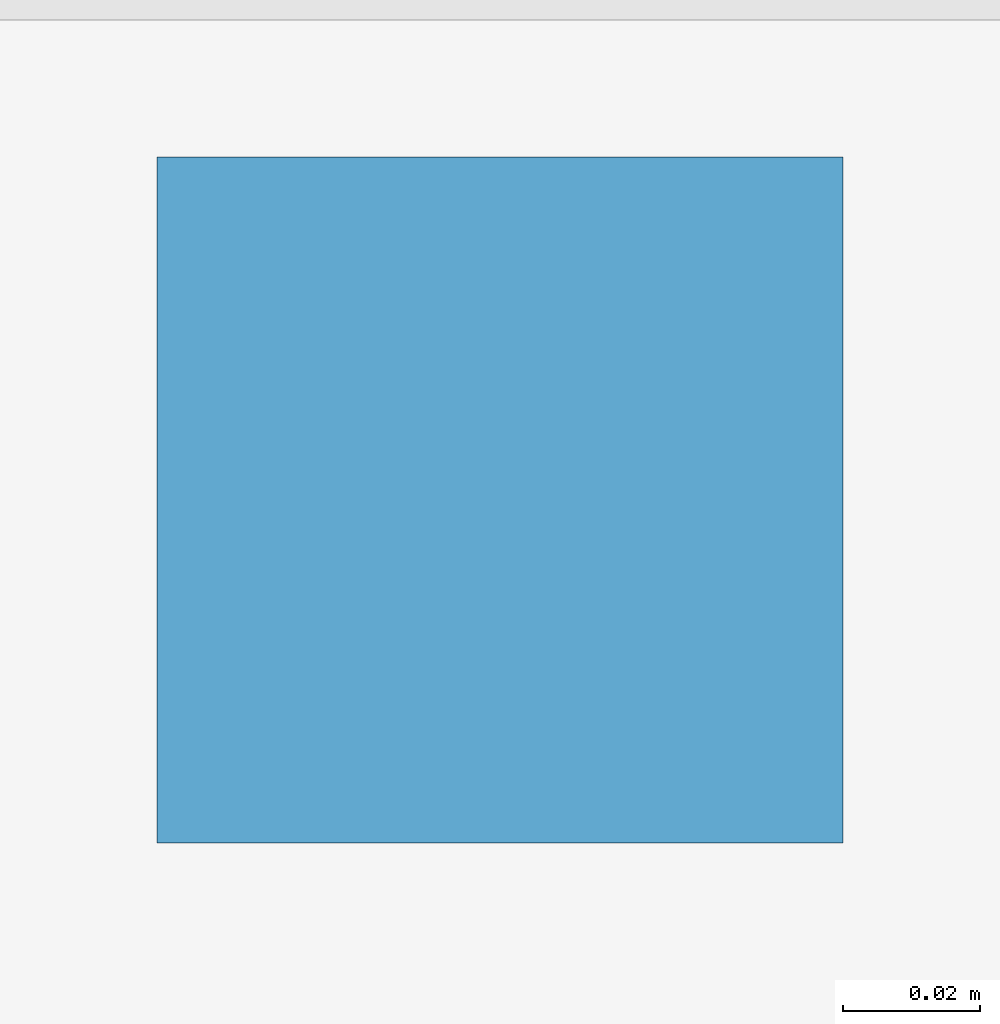
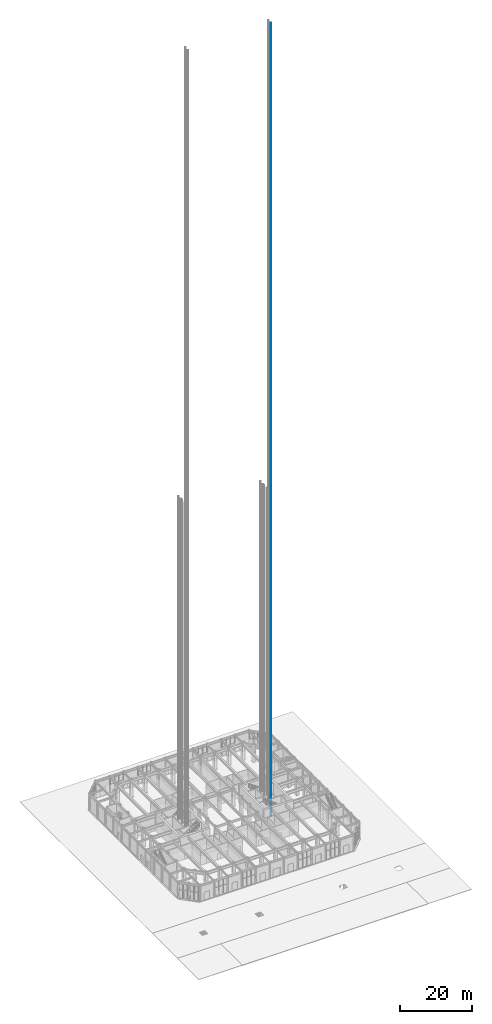
# One storey, part 30 of 39: 1 discrete accessory.
"""IFC4 building model written with IfcOpenShell, lengths in metres."""

from ifc_helpers import new_model, si_unit, direction, frame, origin, place, context, subcontext, project, spatial, polyline, outline, extrude, element, save


model = new_model("IFC4")

# Units and contexts
model_context = context("Model", 3, precision=1e-05, world=origin(), true_north=direction((0.0, 1.0)))
body_context = subcontext(model_context, "Body", "Model", "MODEL_VIEW")
ifc_project = project(units=[si_unit("LENGTHUNIT", "METRE"), si_unit("AREAUNIT", "SQUARE_METRE"), si_unit("VOLUMEUNIT", "CUBIC_METRE"), si_unit("PLANEANGLEUNIT", "RADIAN"), si_unit("MASSUNIT", "GRAM", prefix="KILO")], contexts=[model_context])

# Site, building, storey
site_placement = place(None, origin())
site = spatial("IfcSite", under=ifc_project, at=site_placement, CompositionType="ELEMENT")
building_placement = place(site_placement, origin())
building = spatial("IfcBuilding", under=site, at=building_placement, Name="Msasa Ring Tower", CompositionType="ELEMENT")
storey_placement = place(building_placement, origin())
storey = spatial("IfcBuildingStorey", under=building, at=storey_placement, Name="L00", CompositionType="ELEMENT", Elevation=0.0)

# Discrete accessory
discrete_accessory_placement = place(storey_placement, frame((0.0, 0.0, 0.050048828125)))
element("IfcDiscreteAccessory", 1, at=discrete_accessory_placement, inside=storey, Name="Lift guide rail 1 FL-E", ObjectType="LIFT GUIDE RAIL", PredefinedType="USERDEFINED", context=body_context, shape_type="SweptSolid", body=[
    extrude(outline(polyline([(13.324951171875, -2.9951171875), (13.425048828125, -2.9951171875), (13.425048828125, -2.89501953125), (13.324951171875, -2.89501953125), (13.324951171875, -2.9951171875)])), origin(), (0.0, 0.0, 1.0), 270.449951171875),
])

save(model, "model.ifc")
